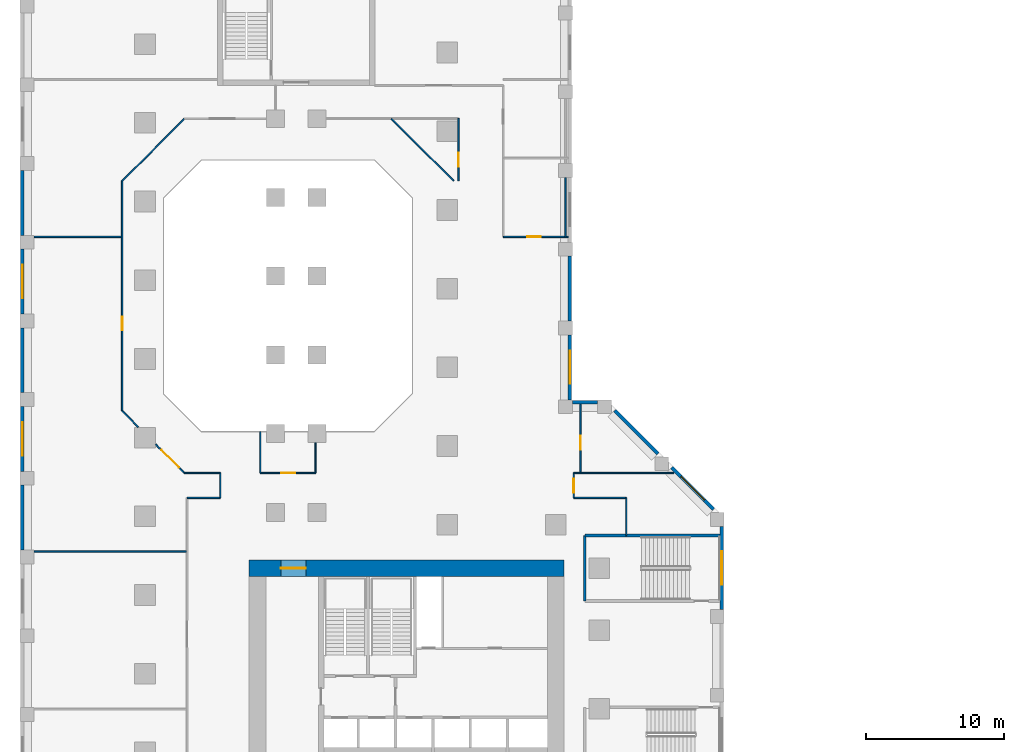
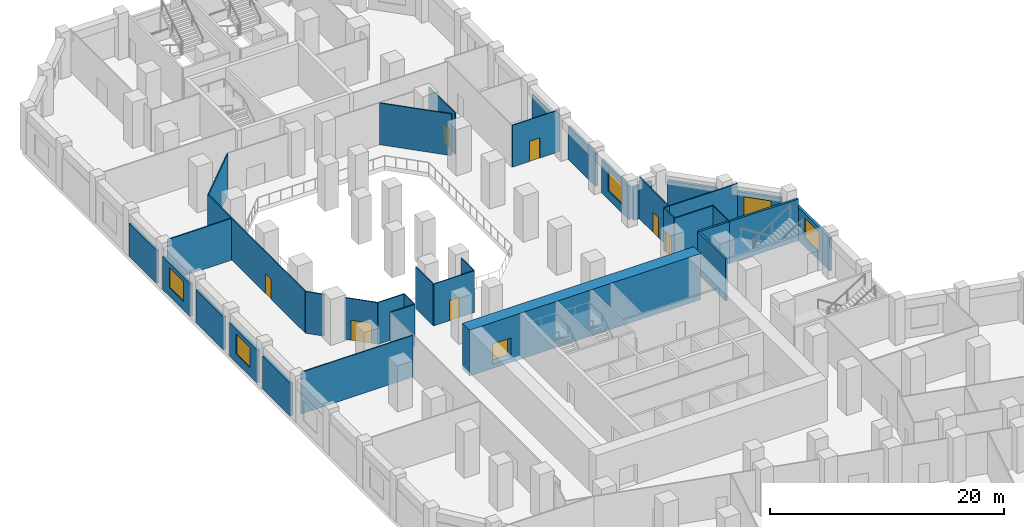
# One storey, part 8 of 16: 37 walls, 8 doors, 5 windows, 13 openings.
"""IFC4 building model written with IfcOpenShell, lengths in metres."""

from ifc_helpers import new_model, si_unit, direction, frame, frame_2d, origin, place, context, subcontext, project, spatial, rectangle, extrude, material, layer, layer_set, type_object, element, fill, save


model = new_model("IFC4")

# Units and contexts
model_context = context("Model", 3, precision=1e-05, world=origin(), true_north=direction((0.0, 1.0)))
body_context = subcontext(model_context, "Body", "Model", "MODEL_VIEW")
ifc_project = project(units=[si_unit("LENGTHUNIT", "METRE"), si_unit("AREAUNIT", "SQUARE_METRE"), si_unit("VOLUMEUNIT", "CUBIC_METRE"), si_unit("PLANEANGLEUNIT", "RADIAN"), si_unit("MASSUNIT", "GRAM", prefix="KILO")], contexts=[model_context])

# Site, building, storey
site_placement = place(None, origin())
site = spatial("IfcSite", under=ifc_project, at=site_placement, CompositionType="ELEMENT")
building_placement = place(site_placement, origin())
building = spatial("IfcBuilding", under=site, at=building_placement, Name="Meshkara Civic Tower", CompositionType="ELEMENT")
storey_placement = place(building_placement, frame((0.0, 0.0, 18.60009765625)))
storey = spatial("IfcBuildingStorey", under=building, at=storey_placement, Name="L03", CompositionType="ELEMENT", Elevation=18.60009765625)

# Wall, opening, door
ifc_material_1 = material(Name="Concrete C80", Category="concrete")
ifc_layer_1 = layer(ifc_material_1, 1.199951171875)
ifc_layer_set_1 = layer_set([ifc_layer_1], Name="Core ring wall 1200 C80")
wall_type_1 = type_object("IfcWallType", Name="Core ring wall 1200 C80", PredefinedType="SHEAR", material=ifc_layer_set_1)
wall_1_placement = place(storey_placement, frame((8.0, 36.300048828125, -0.4501953125), z_axis=(0.0, 0.0, 1.0), x_axis=(1.0, 0.0, 0.0)))
wall_1 = element("IfcWall", 1, at=wall_1_placement, inside=storey, type_object=wall_type_1, Name="L03-C002", PredefinedType="SHEAR", context=body_context, shape_type="SweptSolid", body=[
    extrude(rectangle(XDim=22.800048828125, YDim=1.199951171875, at=frame_2d((11.39990234375, 0.0))), origin(), (0.0, 0.0, 1.0), 4.800048828125),
])
opening_1_placement = place(wall_1_placement, frame((2.300048828125, 0.0, 0.449951171875)))
opening_1 = element("IfcOpeningElement", 2, at=opening_1_placement, cuts=wall_1, Name="Opening L03-K019", PredefinedType="OPENING", context=body_context, shape_type="SweptSolid", body=[
    extrude(rectangle(XDim=1.800048828125, YDim=2.10009765625, at=frame_2d((0.89990234375, 1.050048828125))), frame((0.0, 0.60986328125, 0.0), z_axis=(0.0, -1.0, 0.0), x_axis=(1.0, 0.0, 0.0)), (0.0, 0.0, 1.0), 1.219970703125),
])
ifc_material_2 = material(Name="Fire-rated door leaf in steel frame", Category="steel")
door_type_1 = type_object("IfcDoorType", Name="Core double door 1800 EI 60", OperationType="DOUBLE_DOOR_SINGLE_SWING", PredefinedType="DOOR", material=ifc_material_2)
door_1_placement = place(opening_1_placement, origin())
door_1 = element("IfcDoor", 3, at=door_1_placement, inside=storey, type_object=door_type_1, Name="L03-K019", OperationType="DOUBLE_DOOR_SINGLE_SWING", OverallHeight=2.10009765625, OverallWidth=1.800048828125, PredefinedType="DOOR", context=body_context, shape_type="SweptSolid", body=[
    extrude(rectangle(XDim=1.800048828125, YDim=2.10009765625, at=frame_2d((0.89990234375, 1.050048828125))), frame((0.0, 0.02490234375, 0.0), z_axis=(0.0, -1.0, 0.0), x_axis=(1.0, 0.0, 0.0)), (0.0, 0.0, 1.0), 0.050048828125),
])
fill(opening_1, door_1)

# Wall
ifc_material_3 = material(Name="Corridor wall 100")
ifc_layer_2 = layer(ifc_material_3, 0.10009765625)
ifc_layer_set_2 = layer_set([ifc_layer_2], Name="Corridor wall 100")
wall_type_2 = type_object("IfcWallType", Name="Corridor wall 100", PredefinedType="PARTITIONING", material=ifc_layer_set_2)
wall_2_placement = place(storey_placement, frame((-1.199951171875, 47.699951171875, 0.0), z_axis=(0.0, 0.0, 1.0), x_axis=(0.707106781187, -0.707106781187, 0.0)))
element("IfcWall", 4, at=wall_2_placement, inside=storey, type_object=wall_type_2, Name="L03-R001", PredefinedType="PARTITIONING", context=body_context, shape_type="SweptSolid", body=[
    extrude(rectangle(XDim=1.661865234375, YDim=0.10009765625, at=frame_2d((0.8310546875, 0.0))), origin(), (0.0, 0.0, 1.0), 4.349853515625),
])

# Wall, opening, door
wall_3_placement = place(storey_placement, frame((-1.199951171875, 64.35009765625, 0.0), z_axis=(0.0, 0.0, 1.0), x_axis=(0.0, -1.0, 0.0)))
wall_3 = element("IfcWall", 5, at=wall_3_placement, inside=storey, type_object=wall_type_2, Name="L03-R002", PredefinedType="PARTITIONING", context=body_context, shape_type="SweptSolid", body=[
    extrude(rectangle(XDim=16.650146484375, YDim=0.10009765625, at=frame_2d((8.3251953125, 0.0))), origin(), (0.0, 0.0, 1.0), 4.349853515625),
])
opening_2_placement = place(wall_3_placement, frame((9.830078125, 0.0, 0.0)))
opening_2 = element("IfcOpeningElement", 6, at=opening_2_placement, cuts=wall_3, Name="Opening L03-P030", PredefinedType="OPENING", context=body_context, shape_type="SweptSolid", body=[
    extrude(rectangle(XDim=1.0, YDim=2.10009765625, at=frame_2d((0.5, 1.050048828125))), frame((0.0, 0.06005859375, 0.0), z_axis=(0.0, -1.0, 0.0), x_axis=(1.0, 0.0, 0.0)), (0.0, 0.0, 1.0), 0.1201171875),
])
ifc_material_4 = material(Name="Door 1000 x 2100")
door_type_2 = type_object("IfcDoorType", Name="Door 1000 x 2100", OperationType="SINGLE_SWING_LEFT", PredefinedType="DOOR", material=ifc_material_4)
door_2_placement = place(opening_2_placement, origin())
door_2 = element("IfcDoor", 7, at=door_2_placement, inside=storey, type_object=door_type_2, Name="L03-P030", OperationType="SINGLE_SWING_LEFT", OverallHeight=2.10009765625, OverallWidth=1.0, PredefinedType="DOOR", context=body_context, shape_type="SweptSolid", body=[
    extrude(rectangle(XDim=1.0, YDim=2.10009765625, at=frame_2d((0.5, 1.050048828125))), frame((0.0, 0.02490234375, 0.0), z_axis=(0.0, -1.0, 0.0), x_axis=(1.0, 0.0, 0.0)), (0.0, 0.0, 1.0), 0.050048828125),
])
fill(opening_2, door_2)

wall_4_placement = place(storey_placement, frame((1.219970703125, 45.280029296875, 0.0), z_axis=(0.0, 0.0, 1.0), x_axis=(0.707106781187, -0.707106781187, 0.0)))
wall_4 = element("IfcWall", 8, at=wall_4_placement, inside=storey, type_object=wall_type_2, Name="L03-R006", PredefinedType="PARTITIONING", context=body_context, shape_type="SweptSolid", body=[
    extrude(rectangle(XDim=2.941650390625, YDim=0.10009765625, at=frame_2d((1.470703125, 0.0))), origin(), (0.0, 0.0, 1.0), 4.349853515625),
])
opening_3_placement = place(wall_4_placement, frame((0.580078125, 0.0, 0.0)))
opening_3 = element("IfcOpeningElement", 9, at=opening_3_placement, cuts=wall_4, Name="Opening L03-P026", PredefinedType="OPENING", context=body_context, shape_type="SweptSolid", body=[
    extrude(rectangle(XDim=1.800048828125, YDim=2.10009765625, at=frame_2d((0.89990234375, 1.050048828125))), frame((0.0, 0.06005859375, 0.0), z_axis=(0.0, -1.0, 0.0), x_axis=(1.0, 0.0, 0.0)), (0.0, 0.0, 1.0), 0.1201171875),
])
ifc_material_5 = material(Name="Door pair 1800 x 2100")
door_type_3 = type_object("IfcDoorType", Name="Door pair 1800 x 2100", OperationType="SINGLE_SWING_LEFT", PredefinedType="DOOR", material=ifc_material_5)
door_3_placement = place(opening_3_placement, origin())
door_3 = element("IfcDoor", 10, at=door_3_placement, inside=storey, type_object=door_type_3, Name="L03-P026", OperationType="DOUBLE_DOOR_SINGLE_SWING", OverallHeight=2.10009765625, OverallWidth=1.800048828125, PredefinedType="DOOR", context=body_context, shape_type="SweptSolid", body=[
    extrude(rectangle(XDim=1.800048828125, YDim=2.10009765625, at=frame_2d((0.89990234375, 1.050048828125))), frame((0.0, 0.02490234375, 0.0), z_axis=(0.0, -1.0, 0.0), x_axis=(1.0, 0.0, 0.0)), (0.0, 0.0, 1.0), 0.050048828125),
])
fill(opening_3, door_3)

# Walls
wall_5_placement = place(storey_placement, frame((3.300048828125, 43.199951171875, 0.0), z_axis=(0.0, 0.0, 1.0), x_axis=(1.0, 0.0, 0.0)))
element("IfcWall", 11, at=wall_5_placement, inside=storey, type_object=wall_type_2, Name="L03-R009", PredefinedType="PARTITIONING", context=body_context, shape_type="SweptSolid", body=[
    extrude(rectangle(XDim=2.599853515625, YDim=0.10009765625, at=frame_2d((1.2998046875, 0.0))), origin(), (0.0, 0.0, 1.0), 4.349853515625),
])
wall_6_placement = place(storey_placement, frame((3.300048828125, 68.85009765625, 0.0), z_axis=(0.0, 0.0, 1.0), x_axis=(-0.707106781187, -0.707106781187, 0.0)))
element("IfcWall", 12, at=wall_6_placement, inside=storey, type_object=wall_type_2, Name="L03-R010", PredefinedType="PARTITIONING", context=body_context, shape_type="SweptSolid", body=[
    extrude(rectangle(XDim=6.364013671875, YDim=0.10009765625, at=frame_2d((3.18212890625, 0.0))), origin(), (0.0, 0.0, 1.0), 4.349853515625),
])
wall_7_placement = place(storey_placement, frame((5.89990234375, 41.39990234375, 0.0), z_axis=(0.0, 0.0, 1.0), x_axis=(-1.0, 0.0, 0.0)))
element("IfcWall", 13, at=wall_7_placement, inside=storey, type_object=wall_type_2, Name="L03-R013", PredefinedType="PARTITIONING", context=body_context, shape_type="SweptSolid", body=[
    extrude(rectangle(XDim=2.39990234375, YDim=0.10009765625, at=frame_2d((1.199951171875, 0.0))), origin(), (0.0, 0.0, 1.0), 4.349853515625),
])
wall_8_placement = place(storey_placement, frame((5.89990234375, 43.199951171875, 0.0), z_axis=(0.0, 0.0, 1.0), x_axis=(0.0, -1.0, 0.0)))
element("IfcWall", 14, at=wall_8_placement, inside=storey, type_object=wall_type_2, Name="L03-R014", PredefinedType="PARTITIONING", context=body_context, shape_type="SweptSolid", body=[
    extrude(rectangle(XDim=1.800048828125, YDim=0.10009765625, at=frame_2d((0.89990234375, 0.0))), origin(), (0.0, 0.0, 1.0), 4.349853515625),
])
wall_9_placement = place(storey_placement, frame((8.800048828125, 43.199951171875, 0.0), z_axis=(0.0, 0.0, 1.0), x_axis=(0.0, 1.0, 0.0)))
element("IfcWall", 15, at=wall_9_placement, inside=storey, type_object=wall_type_2, Name="L03-R016", PredefinedType="PARTITIONING", context=body_context, shape_type="SweptSolid", body=[
    extrude(rectangle(XDim=3.0, YDim=0.10009765625, at=frame_2d((1.5, 0.0))), origin(), (0.0, 0.0, 1.0), 4.349853515625),
])

# Wall, opening, door
wall_10_placement = place(storey_placement, frame((12.800048828125, 43.199951171875, 0.0), z_axis=(0.0, 0.0, 1.0), x_axis=(-1.0, 0.0, 0.0)))
wall_10 = element("IfcWall", 16, at=wall_10_placement, inside=storey, type_object=wall_type_2, Name="L03-R022", PredefinedType="PARTITIONING", context=body_context, shape_type="SweptSolid", body=[
    extrude(rectangle(XDim=4.0, YDim=0.10009765625, at=frame_2d((2.0, 0.0))), origin(), (0.0, 0.0, 1.0), 4.349853515625),
])
opening_4_placement = place(wall_10_placement, frame((1.47998046875, 0.0, 0.0)))
opening_4 = element("IfcOpeningElement", 17, at=opening_4_placement, cuts=wall_10, Name="Opening L03-P027", PredefinedType="OPENING", context=body_context, shape_type="SweptSolid", body=[
    extrude(rectangle(XDim=1.0, YDim=2.10009765625, at=frame_2d((0.5, 1.050048828125))), frame((0.0, 0.06005859375, 0.0), z_axis=(0.0, -1.0, 0.0), x_axis=(1.0, 0.0, 0.0)), (0.0, 0.0, 1.0), 0.1201171875),
])
door_4_placement = place(opening_4_placement, origin())
door_4 = element("IfcDoor", 18, at=door_4_placement, inside=storey, type_object=door_type_2, Name="L03-P027", OperationType="SINGLE_SWING_LEFT", OverallHeight=2.10009765625, OverallWidth=1.0, PredefinedType="DOOR", context=body_context, shape_type="SweptSolid", body=[
    extrude(rectangle(XDim=1.0, YDim=2.10009765625, at=frame_2d((0.5, 1.050048828125))), frame((0.0, 0.02490234375, 0.0), z_axis=(0.0, -1.0, 0.0), x_axis=(1.0, 0.0, 0.0)), (0.0, 0.0, 1.0), 0.050048828125),
])
fill(opening_4, door_4)

# Walls
wall_11_placement = place(storey_placement, frame((12.800048828125, 45.3798828125, 0.0), z_axis=(0.0, 0.0, 1.0), x_axis=(0.0, -1.0, 0.0)))
element("IfcWall", 19, at=wall_11_placement, inside=storey, type_object=wall_type_2, Name="L03-R023", PredefinedType="PARTITIONING", context=body_context, shape_type="SweptSolid", body=[
    extrude(rectangle(XDim=2.179931640625, YDim=0.10009765625, at=frame_2d((1.08984375, 0.0))), origin(), (0.0, 0.0, 1.0), 4.349853515625),
])
wall_12_placement = place(storey_placement, frame((22.797119140625, 64.35302734375, 0.0), z_axis=(0.0, 0.0, 1.0), x_axis=(-0.707106781187, 0.707106781187, 0.0)))
element("IfcWall", 20, at=wall_12_placement, inside=storey, type_object=wall_type_2, Name="L03-R032", PredefinedType="PARTITIONING", context=body_context, shape_type="SweptSolid", body=[
    extrude(rectangle(XDim=6.35986328125, YDim=0.10009765625, at=frame_2d((3.179931640625, 0.0))), origin(), (0.0, 0.0, 1.0), 4.349853515625),
])

# Wall, opening, door
wall_13_placement = place(storey_placement, frame((23.14990234375, 68.8701171875, 0.0), z_axis=(0.0, 0.0, 1.0), x_axis=(0.0, -1.0, 0.0)))
wall_13 = element("IfcWall", 21, at=wall_13_placement, inside=storey, type_object=wall_type_2, Name="L03-R033", PredefinedType="PARTITIONING", context=body_context, shape_type="SweptSolid", body=[
    extrude(rectangle(XDim=4.52001953125, YDim=0.10009765625, at=frame_2d((2.260009765625, 0.0))), origin(), (0.0, 0.0, 1.0), 4.349853515625),
])
opening_5_placement = place(wall_13_placement, frame((2.47998046875, 0.0, 0.0)))
opening_5 = element("IfcOpeningElement", 22, at=opening_5_placement, cuts=wall_13, Name="Opening L03-P031", PredefinedType="OPENING", context=body_context, shape_type="SweptSolid", body=[
    extrude(rectangle(XDim=1.0, YDim=2.10009765625, at=frame_2d((0.5, 1.050048828125))), frame((0.0, 0.06005859375, 0.0), z_axis=(0.0, -1.0, 0.0), x_axis=(1.0, 0.0, 0.0)), (0.0, 0.0, 1.0), 0.1201171875),
])
door_5_placement = place(opening_5_placement, origin())
door_5 = element("IfcDoor", 23, at=door_5_placement, inside=storey, type_object=door_type_2, Name="L03-P031", OperationType="SINGLE_SWING_RIGHT", OverallHeight=2.10009765625, OverallWidth=1.0, PredefinedType="DOOR", context=body_context, shape_type="SweptSolid", body=[
    extrude(rectangle(XDim=1.0, YDim=2.10009765625, at=frame_2d((0.5, 1.050048828125))), frame((0.0, 0.02490234375, 0.0), z_axis=(0.0, -1.0, 0.0), x_axis=(1.0, 0.0, 0.0)), (0.0, 0.0, 1.0), 0.050048828125),
])
fill(opening_5, door_5)

wall_14_placement = place(storey_placement, frame((31.10009765625, 60.300048828125, 0.0), z_axis=(0.0, 0.0, 1.0), x_axis=(-1.0, 0.0, 0.0)))
wall_14 = element("IfcWall", 24, at=wall_14_placement, inside=storey, type_object=wall_type_2, Name="L03-R037", PredefinedType="PARTITIONING", context=body_context, shape_type="SweptSolid", body=[
    extrude(rectangle(XDim=4.7001953125, YDim=0.10009765625, at=frame_2d((2.35009765625, 0.0))), origin(), (0.0, 0.0, 1.0), 4.349853515625),
])
opening_6_placement = place(wall_14_placement, frame((1.97998046875, 0.0, 0.0)))
opening_6 = element("IfcOpeningElement", 25, at=opening_6_placement, cuts=wall_14, Name="Opening L03-P032", PredefinedType="OPENING", context=body_context, shape_type="SweptSolid", body=[
    extrude(rectangle(XDim=1.0, YDim=2.10009765625, at=frame_2d((0.5, 1.050048828125))), frame((0.0, 0.06005859375, 0.0), z_axis=(0.0, -1.0, 0.0), x_axis=(1.0, 0.0, 0.0)), (0.0, 0.0, 1.0), 0.1201171875),
])
door_6_placement = place(opening_6_placement, origin())
door_6 = element("IfcDoor", 26, at=door_6_placement, inside=storey, type_object=door_type_2, Name="L03-P032", OperationType="SINGLE_SWING_RIGHT", OverallHeight=2.10009765625, OverallWidth=1.0, PredefinedType="DOOR", context=body_context, shape_type="SweptSolid", body=[
    extrude(rectangle(XDim=1.0, YDim=2.10009765625, at=frame_2d((0.5, 1.050048828125))), frame((0.0, 0.02490234375, 0.0), z_axis=(0.0, -1.0, 0.0), x_axis=(1.0, 0.0, 0.0)), (0.0, 0.0, 1.0), 0.050048828125),
])
fill(opening_6, door_6)

wall_15_placement = place(storey_placement, frame((31.5, 41.39990234375, 0.0), z_axis=(0.0, 0.0, 1.0), x_axis=(0.0, 1.0, 0.0)))
wall_15 = element("IfcWall", 27, at=wall_15_placement, inside=storey, type_object=wall_type_2, Name="L03-R039", PredefinedType="PARTITIONING", context=body_context, shape_type="SweptSolid", body=[
    extrude(rectangle(XDim=1.800048828125, YDim=0.10009765625, at=frame_2d((0.89990234375, 0.0))), origin(), (0.0, 0.0, 1.0), 4.349853515625),
])
opening_7_placement = place(wall_15_placement, frame((0.3798828125, 0.0, 0.0)))
opening_7 = element("IfcOpeningElement", 28, at=opening_7_placement, cuts=wall_15, Name="Opening L03-P028", PredefinedType="OPENING", context=body_context, shape_type="SweptSolid", body=[
    extrude(rectangle(XDim=1.0, YDim=2.10009765625, at=frame_2d((0.5, 1.050048828125))), frame((0.0, 0.06005859375, 0.0), z_axis=(0.0, -1.0, 0.0), x_axis=(1.0, 0.0, 0.0)), (0.0, 0.0, 1.0), 0.1201171875),
])
door_7_placement = place(opening_7_placement, origin())
door_7 = element("IfcDoor", 29, at=door_7_placement, inside=storey, type_object=door_type_2, Name="L03-P028", OperationType="SINGLE_SWING_LEFT", OverallHeight=2.10009765625, OverallWidth=1.0, PredefinedType="DOOR", context=body_context, shape_type="SweptSolid", body=[
    extrude(rectangle(XDim=1.0, YDim=2.10009765625, at=frame_2d((0.5, 1.050048828125))), frame((0.0, 0.02490234375, 0.0), z_axis=(0.0, -1.0, 0.0), x_axis=(1.0, 0.0, 0.0)), (0.0, 0.0, 1.0), 0.050048828125),
])
fill(opening_7, door_7)

# Wall
wall_16_placement = place(storey_placement, frame((31.5, 43.199951171875, 0.0), z_axis=(0.0, 0.0, 1.0), x_axis=(1.0, 0.0, 0.0)))
element("IfcWall", 30, at=wall_16_placement, inside=storey, type_object=wall_type_2, Name="L03-R040", PredefinedType="PARTITIONING", context=body_context, shape_type="SweptSolid", body=[
    extrude(rectangle(XDim=0.5, YDim=0.10009765625, at=frame_2d((0.25, 0.0))), origin(), (0.0, 0.0, 1.0), 4.349853515625),
])

# Wall, opening, door
wall_17_placement = place(storey_placement, frame((32.0, 43.199951171875, 0.0), z_axis=(0.0, 0.0, 1.0), x_axis=(0.0, 1.0, 0.0)))
wall_17 = element("IfcWall", 31, at=wall_17_placement, inside=storey, type_object=wall_type_2, Name="L03-R041", PredefinedType="PARTITIONING", context=body_context, shape_type="SweptSolid", body=[
    extrude(rectangle(XDim=5.0, YDim=0.10009765625, at=frame_2d((2.5, 0.0))), origin(), (0.0, 0.0, 1.0), 4.349853515625),
])
opening_8_placement = place(wall_17_placement, frame((1.679931640625, 0.0, 0.0)))
opening_8 = element("IfcOpeningElement", 32, at=opening_8_placement, cuts=wall_17, Name="Opening L03-P029", PredefinedType="OPENING", context=body_context, shape_type="SweptSolid", body=[
    extrude(rectangle(XDim=1.0, YDim=2.10009765625, at=frame_2d((0.5, 1.050048828125))), frame((0.0, 0.06005859375, 0.0), z_axis=(0.0, -1.0, 0.0), x_axis=(1.0, 0.0, 0.0)), (0.0, 0.0, 1.0), 0.1201171875),
])
door_8_placement = place(opening_8_placement, origin())
door_8 = element("IfcDoor", 33, at=door_8_placement, inside=storey, type_object=door_type_2, Name="L03-P029", OperationType="SINGLE_SWING_LEFT", OverallHeight=2.10009765625, OverallWidth=1.0, PredefinedType="DOOR", context=body_context, shape_type="SweptSolid", body=[
    extrude(rectangle(XDim=1.0, YDim=2.10009765625, at=frame_2d((0.5, 1.050048828125))), frame((0.0, 0.02490234375, 0.0), z_axis=(0.0, -1.0, 0.0), x_axis=(1.0, 0.0, 0.0)), (0.0, 0.0, 1.0), 0.050048828125),
])
fill(opening_8, door_8)

# Walls
wall_18_placement = place(storey_placement, frame((35.300048828125, 38.675048828125, 0.0), z_axis=(0.0, 0.0, 1.0), x_axis=(0.0, 1.0, 0.0)))
element("IfcWall", 34, at=wall_18_placement, inside=storey, type_object=wall_type_2, Name="L03-R049", PredefinedType="PARTITIONING", context=body_context, shape_type="SweptSolid", body=[
    extrude(rectangle(XDim=2.724853515625, YDim=0.10009765625, at=frame_2d((1.3623046875, 0.0))), origin(), (0.0, 0.0, 1.0), 4.349853515625),
])
wall_19_placement = place(storey_placement, frame((35.300048828125, 41.39990234375, 0.0), z_axis=(0.0, 0.0, 1.0), x_axis=(-1.0, 0.0, 0.0)))
element("IfcWall", 35, at=wall_19_placement, inside=storey, type_object=wall_type_2, Name="L03-R050", PredefinedType="PARTITIONING", context=body_context, shape_type="SweptSolid", body=[
    extrude(rectangle(XDim=3.800048828125, YDim=0.10009765625, at=frame_2d((1.89990234375, 0.0))), origin(), (0.0, 0.0, 1.0), 4.349853515625),
])
ifc_material_6 = material(Name="Stone cladding on insulated backing wall", Category="masonry")
ifc_layer_3 = layer(ifc_material_6, 0.25)
ifc_layer_set_3 = layer_set([ifc_layer_3], Name="PODIUM STONE WALL 250")
wall_type_3 = type_object("IfcWallType", Name="PODIUM STONE WALL 250", PredefinedType="SOLIDWALL", material=ifc_layer_set_3)
wall_20_placement = place(storey_placement, frame((-8.425048828125, 65.111083984375, 0.0), z_axis=(0.0, 0.0, 1.0), x_axis=(0.0, -1.0, 0.0)))
element("IfcWall", 36, at=wall_20_placement, inside=storey, type_object=wall_type_3, Name="Podium external wall", PredefinedType="SOLIDWALL", context=body_context, shape_type="SweptSolid", body=[
    extrude(rectangle(XDim=4.7001953125, YDim=0.25, at=frame_2d((2.35009765625, 0.0))), origin(), (0.0, 0.0, 1.0), 3.449951171875),
])

# Wall, opening, window
wall_21_placement = place(storey_placement, frame((-8.425048828125, 59.410888671875, 0.0), z_axis=(0.0, 0.0, 1.0), x_axis=(0.0, -1.0, 0.0)))
wall_21 = element("IfcWall", 37, at=wall_21_placement, inside=storey, type_object=wall_type_3, Name="Podium external wall", PredefinedType="SOLIDWALL", context=body_context, shape_type="SweptSolid", body=[
    extrude(rectangle(XDim=4.699951171875, YDim=0.25, at=frame_2d((2.35009765625, 0.0))), origin(), (0.0, 0.0, 1.0), 3.449951171875),
])
opening_9_placement = place(wall_21_placement, frame((1.14990234375, 0.0, 0.89990234375)))
opening_9 = element("IfcOpeningElement", 38, at=opening_9_placement, cuts=wall_21, Name="Opening PW10", PredefinedType="OPENING", context=body_context, shape_type="SweptSolid", body=[
    extrude(rectangle(XDim=2.39990234375, YDim=2.10009765625, at=frame_2d((1.199951171875, 1.050048828125))), frame((0.0, 0.135009765625, 0.0), z_axis=(0.0, -1.0, 0.0), x_axis=(1.0, 0.0, 0.0)), (0.0, 0.0, 1.0), 0.27001953125),
])
ifc_material_7 = material(Name="Tinted double glazing", Category="glass")
window_type = type_object("IfcWindowType", Name="PODIUM WINDOW 2400x2100", PartitioningType="DOUBLE_PANEL_VERTICAL", PredefinedType="WINDOW", material=ifc_material_7)
window_1_placement = place(opening_9_placement, origin())
window_1 = element("IfcWindow", 39, at=window_1_placement, inside=storey, type_object=window_type, Name="Podium window", OverallHeight=2.10009765625, OverallWidth=2.39990234375, PartitioningType="DOUBLE_PANEL_VERTICAL", PredefinedType="WINDOW", context=body_context, shape_type="SweptSolid", body=[
    extrude(rectangle(XDim=2.39990234375, YDim=2.10009765625, at=frame_2d((1.199951171875, 1.050048828125))), frame((0.0, 0.030029296875, 0.0), z_axis=(0.0, -1.0, 0.0), x_axis=(1.0, 0.0, 0.0)), (0.0, 0.0, 1.0), 0.06005859375),
])
fill(opening_9, window_1)

# Wall
wall_22_placement = place(storey_placement, frame((-8.425048828125, 53.7109375, 0.0), z_axis=(0.0, 0.0, 1.0), x_axis=(0.0, -1.0, 0.0)))
element("IfcWall", 40, at=wall_22_placement, inside=storey, type_object=wall_type_3, Name="Podium external wall", PredefinedType="SOLIDWALL", context=body_context, shape_type="SweptSolid", body=[
    extrude(rectangle(XDim=4.699951171875, YDim=0.25, at=frame_2d((2.35009765625, 0.0))), origin(), (0.0, 0.0, 1.0), 3.449951171875),
])

# Wall, opening, window
wall_23_placement = place(storey_placement, frame((-8.425048828125, 48.010986328125, 0.0), z_axis=(0.0, 0.0, 1.0), x_axis=(0.0, -1.0, 0.0)))
wall_23 = element("IfcWall", 41, at=wall_23_placement, inside=storey, type_object=wall_type_3, Name="Podium external wall", PredefinedType="SOLIDWALL", context=body_context, shape_type="SweptSolid", body=[
    extrude(rectangle(XDim=4.699951171875, YDim=0.25, at=frame_2d((2.35009765625, 0.0))), origin(), (0.0, 0.0, 1.0), 3.449951171875),
])
opening_10_placement = place(wall_23_placement, frame((1.14990234375, 0.0, 0.89990234375)))
opening_10 = element("IfcOpeningElement", 42, at=opening_10_placement, cuts=wall_23, Name="Opening PW10", PredefinedType="OPENING", context=body_context, shape_type="SweptSolid", body=[
    extrude(rectangle(XDim=2.39990234375, YDim=2.10009765625, at=frame_2d((1.199951171875, 1.050048828125))), frame((0.0, 0.135009765625, 0.0), z_axis=(0.0, -1.0, 0.0), x_axis=(1.0, 0.0, 0.0)), (0.0, 0.0, 1.0), 0.27001953125),
])
window_2_placement = place(opening_10_placement, origin())
window_2 = element("IfcWindow", 43, at=window_2_placement, inside=storey, type_object=window_type, Name="Podium window", OverallHeight=2.10009765625, OverallWidth=2.39990234375, PartitioningType="DOUBLE_PANEL_VERTICAL", PredefinedType="WINDOW", context=body_context, shape_type="SweptSolid", body=[
    extrude(rectangle(XDim=2.39990234375, YDim=2.10009765625, at=frame_2d((1.199951171875, 1.050048828125))), frame((0.0, 0.030029296875, 0.0), z_axis=(0.0, -1.0, 0.0), x_axis=(1.0, 0.0, 0.0)), (0.0, 0.0, 1.0), 0.06005859375),
])
fill(opening_10, window_2)

# Wall
wall_24_placement = place(storey_placement, frame((-8.425048828125, 42.31103515625, 0.0), z_axis=(0.0, 0.0, 1.0), x_axis=(0.0, -1.0, 0.0)))
element("IfcWall", 44, at=wall_24_placement, inside=storey, type_object=wall_type_3, Name="Podium external wall", PredefinedType="SOLIDWALL", context=body_context, shape_type="SweptSolid", body=[
    extrude(rectangle(XDim=4.699951171875, YDim=0.25, at=frame_2d((2.35009765625, 0.0))), origin(), (0.0, 0.0, 1.0), 3.449951171875),
])

# Wall, opening, window
wall_25_placement = place(storey_placement, frame((42.22509765625, 33.299072265625, 0.0), z_axis=(0.0, 0.0, 1.0), x_axis=(0.0, 1.0, 0.0)))
wall_25 = element("IfcWall", 45, at=wall_25_placement, inside=storey, type_object=wall_type_3, Name="Podium external wall", PredefinedType="SOLIDWALL", context=body_context, shape_type="SweptSolid", body=[
    extrude(rectangle(XDim=6.036865234375, YDim=0.25, at=frame_2d((3.0185546875, 0.0))), origin(), (0.0, 0.0, 1.0), 3.449951171875),
])
opening_11_placement = place(wall_25_placement, frame((1.819091796875, 0.0, 0.89990234375)))
opening_11 = element("IfcOpeningElement", 46, at=opening_11_placement, cuts=wall_25, Name="Opening PW10", PredefinedType="OPENING", context=body_context, shape_type="SweptSolid", body=[
    extrude(rectangle(XDim=2.39990234375, YDim=2.10009765625, at=frame_2d((1.199951171875, 1.050048828125))), frame((0.0, 0.135009765625, 0.0), z_axis=(0.0, -1.0, 0.0), x_axis=(1.0, 0.0, 0.0)), (0.0, 0.0, 1.0), 0.27001953125),
])
window_3_placement = place(opening_11_placement, origin())
window_3 = element("IfcWindow", 47, at=window_3_placement, inside=storey, type_object=window_type, Name="Podium window", OverallHeight=2.10009765625, OverallWidth=2.39990234375, PartitioningType="DOUBLE_PANEL_VERTICAL", PredefinedType="WINDOW", context=body_context, shape_type="SweptSolid", body=[
    extrude(rectangle(XDim=2.39990234375, YDim=2.10009765625, at=frame_2d((1.199951171875, 1.050048828125))), frame((0.0, 0.030029296875, 0.0), z_axis=(0.0, -1.0, 0.0), x_axis=(1.0, 0.0, 0.0)), (0.0, 0.0, 1.0), 0.06005859375),
])
fill(opening_11, window_3)

wall_26_placement = place(storey_placement, frame((41.6298828125, 40.56591796875, 0.0), z_axis=(0.0, 0.0, 1.0), x_axis=(-0.707078301545, 0.707135259681, 0.0)))
wall_26 = element("IfcWall", 48, at=wall_26_placement, inside=storey, type_object=wall_type_3, Name="Podium external wall", PredefinedType="SOLIDWALL", context=body_context, shape_type="SweptSolid", body=[
    extrude(rectangle(XDim=4.286376953125, YDim=0.25, at=frame_2d((2.14306640625, 0.0))), origin(), (0.0, 0.0, 1.0), 3.449951171875),
])
opening_12_placement = place(wall_26_placement, frame((0.943115234375, 0.0, 0.89990234375)))
opening_12 = element("IfcOpeningElement", 49, at=opening_12_placement, cuts=wall_26, Name="Opening PW10", PredefinedType="OPENING", context=body_context, shape_type="SweptSolid", body=[
    extrude(rectangle(XDim=2.39990234375, YDim=2.10009765625, at=frame_2d((1.199951171875, 1.050048828125))), frame((0.0, 0.135009765625, 0.0), z_axis=(0.0, -1.0, 0.0), x_axis=(1.0, 0.0, 0.0)), (0.0, 0.0, 1.0), 0.27001953125),
])
window_4_placement = place(opening_12_placement, origin())
window_4 = element("IfcWindow", 50, at=window_4_placement, inside=storey, type_object=window_type, Name="Podium window", OverallHeight=2.10009765625, OverallWidth=2.39990234375, PartitioningType="DOUBLE_PANEL_VERTICAL", PredefinedType="WINDOW", context=body_context, shape_type="SweptSolid", body=[
    extrude(rectangle(XDim=2.39990234375, YDim=2.10009765625, at=frame_2d((1.199951171875, 1.050048828125))), frame((0.0, 0.030029296875, 0.0), z_axis=(0.0, -1.0, 0.0), x_axis=(1.0, 0.0, 0.0)), (0.0, 0.0, 1.0), 0.06005859375),
])
fill(opening_12, window_4)

# Walls
wall_27_placement = place(storey_placement, frame((37.59912109375, 44.596923828125, 0.0), z_axis=(0.0, 0.0, 1.0), x_axis=(-0.707106781187, 0.707106781187, 0.0)))
element("IfcWall", 51, at=wall_27_placement, inside=storey, type_object=wall_type_3, Name="Podium external wall", PredefinedType="SOLIDWALL", context=body_context, shape_type="SweptSolid", body=[
    extrude(rectangle(XDim=4.430908203125, YDim=0.25, at=frame_2d((2.21533203125, 0.0))), origin(), (0.0, 0.0, 1.0), 3.449951171875),
])
wall_28_placement = place(storey_placement, frame((33.236083984375, 48.324951171875, 0.0), z_axis=(0.0, 0.0, 1.0), x_axis=(-1.0, 0.0, 0.0)))
element("IfcWall", 52, at=wall_28_placement, inside=storey, type_object=wall_type_3, Name="Podium external wall", PredefinedType="SOLIDWALL", context=body_context, shape_type="SweptSolid", body=[
    extrude(rectangle(XDim=1.836181640625, YDim=0.25, at=frame_2d((0.91796875, 0.0))), origin(), (0.0, 0.0, 1.0), 3.449951171875),
])

# Wall, opening, window
wall_29_placement = place(storey_placement, frame((31.22509765625, 48.5, 0.0), z_axis=(0.0, 0.0, 1.0), x_axis=(0.0, 1.0, 0.0)))
wall_29 = element("IfcWall", 53, at=wall_29_placement, inside=storey, type_object=wall_type_3, Name="Podium external wall", PredefinedType="SOLIDWALL", context=body_context, shape_type="SweptSolid", body=[
    extrude(rectangle(XDim=4.699951171875, YDim=0.25, at=frame_2d((2.35009765625, 0.0))), origin(), (0.0, 0.0, 1.0), 3.449951171875),
])
opening_13_placement = place(wall_29_placement, frame((1.14990234375, 0.0, 0.89990234375)))
opening_13 = element("IfcOpeningElement", 54, at=opening_13_placement, cuts=wall_29, Name="Opening PW10", PredefinedType="OPENING", context=body_context, shape_type="SweptSolid", body=[
    extrude(rectangle(XDim=2.39990234375, YDim=2.10009765625, at=frame_2d((1.199951171875, 1.050048828125))), frame((0.0, 0.135009765625, 0.0), z_axis=(0.0, -1.0, 0.0), x_axis=(1.0, 0.0, 0.0)), (0.0, 0.0, 1.0), 0.27001953125),
])
window_5_placement = place(opening_13_placement, origin())
window_5 = element("IfcWindow", 55, at=window_5_placement, inside=storey, type_object=window_type, Name="Podium window", OverallHeight=2.10009765625, OverallWidth=2.39990234375, PartitioningType="DOUBLE_PANEL_VERTICAL", PredefinedType="WINDOW", context=body_context, shape_type="SweptSolid", body=[
    extrude(rectangle(XDim=2.39990234375, YDim=2.10009765625, at=frame_2d((1.199951171875, 1.050048828125))), frame((0.0, 0.030029296875, 0.0), z_axis=(0.0, -1.0, 0.0), x_axis=(1.0, 0.0, 0.0)), (0.0, 0.0, 1.0), 0.06005859375),
])
fill(opening_13, window_5)

# Walls
wall_30_placement = place(storey_placement, frame((31.22509765625, 54.199951171875, 0.0), z_axis=(0.0, 0.0, 1.0), x_axis=(0.0, 1.0, 0.0)))
element("IfcWall", 56, at=wall_30_placement, inside=storey, type_object=wall_type_3, Name="Podium external wall", PredefinedType="SOLIDWALL", context=body_context, shape_type="SweptSolid", body=[
    extrude(rectangle(XDim=4.699951171875, YDim=0.25, at=frame_2d((2.35009765625, 0.0))), origin(), (0.0, 0.0, 1.0), 3.449951171875),
])
ifc_material_8 = material(Name="Partition 100")
ifc_layer_4 = layer(ifc_material_8, 0.10009765625)
ifc_layer_set_4 = layer_set([ifc_layer_4], Name="Partition 100")
wall_type_4 = type_object("IfcWallType", Name="Partition 100", PredefinedType="PARTITIONING", material=ifc_layer_set_4)
wall_31_placement = place(storey_placement, frame((-1.25, 60.300048828125, 0.0), z_axis=(0.0, 0.0, 1.0), x_axis=(-1.0, 0.0, 0.0)))
element("IfcWall", 57, at=wall_31_placement, inside=storey, type_object=wall_type_4, Name="L03-R083", PredefinedType="PARTITIONING", context=body_context, shape_type="SweptSolid", body=[
    extrude(rectangle(XDim=6.330078125, YDim=0.10009765625, at=frame_2d((3.1650390625, 0.0))), origin(), (0.0, 0.0, 1.0), 4.349853515625),
])
wall_32_placement = place(storey_placement, frame((3.449951171875, 37.5, 0.0), z_axis=(0.0, 0.0, 1.0), x_axis=(-1.0, 0.0, 0.0)))
element("IfcWall", 58, at=wall_32_placement, inside=storey, type_object=wall_type_4, Name="L03-R085", PredefinedType="PARTITIONING", context=body_context, shape_type="SweptSolid", body=[
    extrude(rectangle(XDim=11.030029296875, YDim=0.10009765625, at=frame_2d((5.51513671875, 0.0))), origin(), (0.0, 0.0, 1.0), 4.349853515625),
])
wall_33_placement = place(storey_placement, frame((30.89990234375, 60.300048828125, 0.0), z_axis=(0.0, 0.0, 1.0), x_axis=(0.0, 1.0, 0.0)))
element("IfcWall", 59, at=wall_33_placement, inside=storey, type_object=wall_type_4, Name="L03-R090", PredefinedType="PARTITIONING", context=body_context, shape_type="SweptSolid", body=[
    extrude(rectangle(XDim=4.280029296875, YDim=0.10009765625, at=frame_2d((2.14013671875, 0.0))), origin(), (0.0, 0.0, 1.0), 3.449951171875),
])
wall_34_placement = place(storey_placement, frame((38.748046875, 43.199951171875, 0.0), z_axis=(0.0, 0.0, 1.0), x_axis=(-1.0, 0.0, 0.0)))
element("IfcWall", 60, at=wall_34_placement, inside=storey, type_object=wall_type_4, Name="L03-R096", PredefinedType="PARTITIONING", context=body_context, shape_type="SweptSolid", body=[
    extrude(rectangle(XDim=6.748046875, YDim=0.10009765625, at=frame_2d((3.3740234375, 0.0))), origin(), (0.0, 0.0, 1.0), 4.349853515625),
])
ifc_material_9 = material(Name="Concrete C40/50", Category="concrete")
ifc_layer_5 = layer(ifc_material_9, 0.199951171875)
ifc_layer_set_5 = layer_set([ifc_layer_5], Name="Stair enclosure wall 200 C40/50")
wall_type_5 = type_object("IfcWallType", Name="Stair enclosure wall 200 C40/50", PredefinedType="SOLIDWALL", material=ifc_layer_set_5)
wall_35_placement = place(storey_placement, frame((32.300048828125, 33.925048828125, 0.0), z_axis=(0.0, 0.0, 1.0), x_axis=(0.0, 1.0, 0.0)))
element("IfcWall", 61, at=wall_35_placement, inside=storey, type_object=wall_type_5, Name="L03-R043", PredefinedType="SOLIDWALL", context=body_context, shape_type="SweptSolid", body=[
    extrude(rectangle(XDim=4.75, YDim=0.199951171875, at=frame_2d((2.375, 0.0))), origin(), (0.0, 0.0, 1.0), 4.349853515625),
])
wall_36_placement = place(storey_placement, frame((32.300048828125, 38.675048828125, 0.0), z_axis=(0.0, 0.0, 1.0), x_axis=(1.0, 0.0, 0.0)))
element("IfcWall", 62, at=wall_36_placement, inside=storey, type_object=wall_type_5, Name="L03-R044", PredefinedType="SOLIDWALL", context=body_context, shape_type="SweptSolid", body=[
    extrude(rectangle(XDim=3.0, YDim=0.199951171875, at=frame_2d((1.5, 0.0))), origin(), (0.0, 0.0, 1.0), 4.349853515625),
])
wall_37_placement = place(storey_placement, frame((42.10009765625, 38.675048828125, 0.0), z_axis=(0.0, 0.0, 1.0), x_axis=(-1.0, 0.0, 0.0)))
element("IfcWall", 63, at=wall_37_placement, inside=storey, type_object=wall_type_5, Name="L03-R098", PredefinedType="SOLIDWALL", context=body_context, shape_type="SweptSolid", body=[
    extrude(rectangle(XDim=6.800048828125, YDim=0.199951171875, at=frame_2d((3.39990234375, 0.0))), origin(), (0.0, 0.0, 1.0), 4.349853515625),
])

save(model, "model.ifc")
